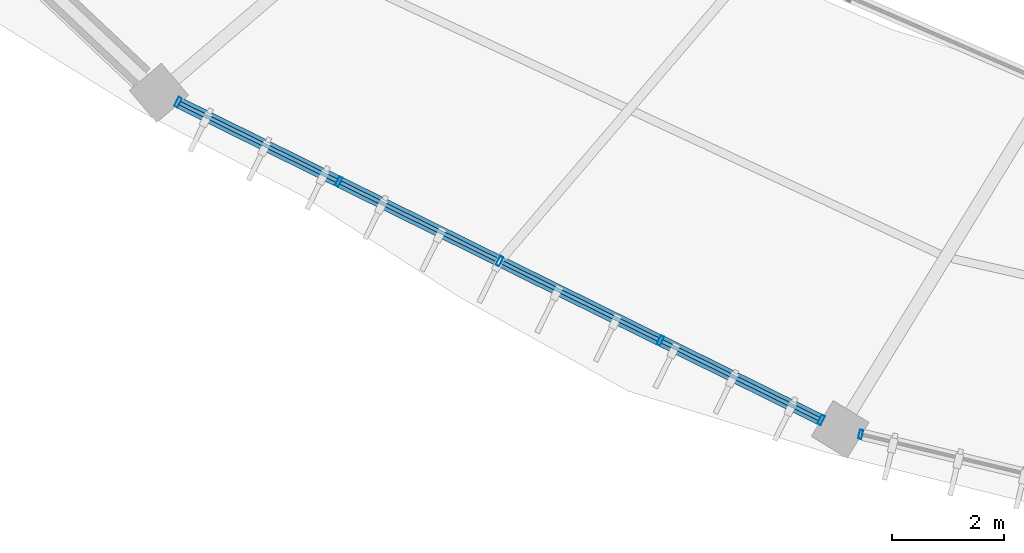
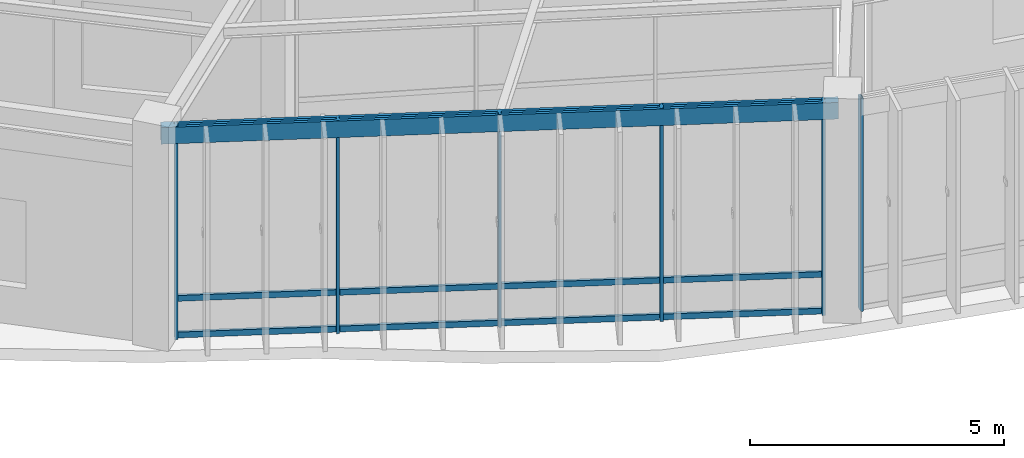
# One storey, part 43 of 157: 18 members, 1 beam, 2 elements without a shape of their own.
"""IFC4 building model written with IfcOpenShell, lengths in metres."""

from ifc_helpers import new_model, si_unit, direction, frame, origin, origin_2d, place, context, subcontext, project, spatial, hollow_rectangle, extrude, material, material_profile, profile_set, type_object, element, aggregate, save


model = new_model("IFC4")

# Units and contexts
model_context = context("Model", 3, precision=1e-05, world=origin(), true_north=direction((0.0, 1.0)))
body_context = subcontext(model_context, "Body", "Model", "MODEL_VIEW")
ifc_project = project(units=[si_unit("LENGTHUNIT", "METRE"), si_unit("AREAUNIT", "SQUARE_METRE"), si_unit("VOLUMEUNIT", "CUBIC_METRE"), si_unit("PLANEANGLEUNIT", "RADIAN"), si_unit("MASSUNIT", "GRAM", prefix="KILO"), si_unit("THERMODYNAMICTEMPERATUREUNIT", "KELVIN"), si_unit("POWERUNIT", "WATT")], contexts=[model_context])

# Site, building, storey
site_placement = place(None, origin())
site = spatial("IfcSite", under=ifc_project, at=site_placement, CompositionType="ELEMENT")
building_placement = place(site_placement, origin())
building = spatial("IfcBuilding", under=site, at=building_placement, Name="Darbajah Civic Hall", CompositionType="ELEMENT")
storey_placement = place(building_placement, origin())
storey = spatial("IfcBuildingStorey", under=building, at=storey_placement, Name="L00", CompositionType="ELEMENT", Elevation=0.0)

# Curtain wall, member
ifc_material_1 = material(Name="Anodised Bronze Aluminium and Low-E Glazing", Category="aluminium")
curtain_wall_type_1 = type_object("IfcCurtainWallType", Name="Unitised Curtain Wall CW-13 14400x5100", PredefinedType="USERDEFINED", material=ifc_material_1)
curtain_wall_1_placement = place(storey_placement, origin())
curtain_wall_1 = element("IfcCurtainWall", 1, at=curtain_wall_1_placement, inside=storey, type_object=curtain_wall_type_1, Name="L00 unitised curtain wall CW-V1O-L00-13", ObjectType="UNITISED CURTAIN WALL", PredefinedType="USERDEFINED")
ifc_material_2 = material(Name="Anodised Bronze Aluminium", Category="aluminium")
ifc_material_profile_1 = material_profile(ifc_material_2, hollow_rectangle(XDim=0.06005859375, YDim=0.159912109375, WallThickness=0.00341796875, at=origin_2d()), Name="ALU MULLION 60x160")
ifc_profile_set_1 = profile_set([ifc_material_profile_1], Name="Anodised Bronze Aluminium")
member_type_1 = type_object("IfcMemberType", Name="ALU MULLION 60x160", PredefinedType="MULLION", material=ifc_profile_set_1)
member_1_placement = place(storey_placement, frame((62.819091796875, 64.559326171875, 0.0), z_axis=(0.0, 0.0, 1.0), x_axis=(0.972492018808, -0.232936200179, 0.0)))
member_1 = element("IfcMember", 2, at=member_1_placement, type_object=member_type_1, Name="CW-V1O-L00-13 mullion 1", PredefinedType="MULLION", context=body_context, shape_type="SweptSolid", body=[
    extrude(hollow_rectangle(XDim=0.06005859375, YDim=0.159912109375, WallThickness=0.00341796875, at=origin_2d()), origin(), (0.0, 0.0, 1.0), 5.1201171875),
])
aggregate(curtain_wall_1, [member_1])

# Curtain wall, members
curtain_wall_type_2 = type_object("IfcCurtainWallType", Name="Unitised Curtain Wall CW-12 12800x5100", PredefinedType="USERDEFINED", material=ifc_material_1)
curtain_wall_2_placement = place(storey_placement, origin())
curtain_wall_2 = element("IfcCurtainWall", 3, at=curtain_wall_2_placement, inside=storey, type_object=curtain_wall_type_2, Name="L00 unitised curtain wall CW-V1O-L00-12", ObjectType="UNITISED CURTAIN WALL", PredefinedType="USERDEFINED")
ifc_material_profile_2 = material_profile(ifc_material_2, hollow_rectangle(XDim=0.06494140625, YDim=0.179931640625, WallThickness=0.00390625, at=origin_2d()), Name="ALU MULLION 65x180")
ifc_profile_set_2 = profile_set([ifc_material_profile_2], Name="Anodised Bronze Aluminium")
member_type_2 = type_object("IfcMemberType", Name="ALU MULLION 65x180", PredefinedType="MULLION", material=ifc_profile_set_2)
member_2_placement = place(storey_placement, frame((50.6572265625, 70.474365234375, 0.0), z_axis=(0.0, 0.0, 1.0), x_axis=(0.89656374724, -0.442914717678, 0.0)))
member_2 = element("IfcMember", 4, at=member_2_placement, type_object=member_type_2, Name="CW-V1O-L00-12 mullion 1", PredefinedType="MULLION", context=body_context, shape_type="SweptSolid", body=[
    extrude(hollow_rectangle(XDim=0.06494140625, YDim=0.179931640625, WallThickness=0.00390625, at=origin_2d()), origin(), (0.0, 0.0, 1.0), 5.1201171875),
])
member_3_placement = place(storey_placement, frame((53.521484375, 69.05908203125, 0.0), z_axis=(0.0, 0.0, 1.0), x_axis=(0.89656374724, -0.442914717678, 0.0)))
member_3 = element("IfcMember", 5, at=member_3_placement, type_object=member_type_2, Name="CW-V1O-L00-12 mullion 2", PredefinedType="MULLION", context=body_context, shape_type="SweptSolid", body=[
    extrude(hollow_rectangle(XDim=0.06494140625, YDim=0.179931640625, WallThickness=0.00390625, at=origin_2d()), origin(), (0.0, 0.0, 1.0), 5.1201171875),
])
member_4_placement = place(storey_placement, frame((56.385986328125, 67.644287109375, 0.0), z_axis=(0.0, 0.0, 1.0), x_axis=(0.89656374724, -0.442914717678, 0.0)))
member_4 = element("IfcMember", 6, at=member_4_placement, type_object=member_type_2, Name="CW-V1O-L00-12 mullion 3", PredefinedType="MULLION", context=body_context, shape_type="SweptSolid", body=[
    extrude(hollow_rectangle(XDim=0.06494140625, YDim=0.179931640625, WallThickness=0.00390625, at=origin_2d()), origin(), (0.0, 0.0, 1.0), 5.1201171875),
])
member_5_placement = place(storey_placement, frame((59.250244140625, 66.229248046875, 0.0), z_axis=(0.0, 0.0, 1.0), x_axis=(0.89656374724, -0.442914717678, 0.0)))
member_5 = element("IfcMember", 7, at=member_5_placement, type_object=member_type_2, Name="CW-V1O-L00-12 mullion 4", PredefinedType="MULLION", context=body_context, shape_type="SweptSolid", body=[
    extrude(hollow_rectangle(XDim=0.06494140625, YDim=0.179931640625, WallThickness=0.00390625, at=origin_2d()), origin(), (0.0, 0.0, 1.0), 5.1201171875),
])
member_6_placement = place(storey_placement, frame((62.114501953125, 64.814208984375, 0.0), z_axis=(0.0, 0.0, 1.0), x_axis=(0.89656374724, -0.442914717678, 0.0)))
member_6 = element("IfcMember", 8, at=member_6_placement, type_object=member_type_2, Name="CW-V1O-L00-12 mullion 5", PredefinedType="MULLION", context=body_context, shape_type="SweptSolid", body=[
    extrude(hollow_rectangle(XDim=0.06494140625, YDim=0.179931640625, WallThickness=0.00390625, at=origin_2d()), origin(), (0.0, 0.0, 1.0), 5.1201171875),
])
ifc_material_profile_3 = material_profile(ifc_material_2, hollow_rectangle(XDim=0.06494140625, YDim=0.139892578125, WallThickness=0.00341796875, at=origin_2d()), Name="ALU TRANSOM 65x140")
ifc_profile_set_3 = profile_set([ifc_material_profile_3], Name="Anodised Bronze Aluminium")
member_type_3 = type_object("IfcMemberType", Name="ALU TRANSOM 65x140", PredefinedType="USERDEFINED", material=ifc_profile_set_3)
member_7_placement = place(storey_placement, frame((50.69091796875, 70.457763671875, 0.070068359375), z_axis=(0.896561082249, -0.442920112205, 0.0), x_axis=(0.442920112205, 0.896561082249, 0.0)))
member_7 = element("IfcMember", 9, at=member_7_placement, type_object=member_type_3, Name="CW-V1O-L00-12 transom 1.1", ObjectType="TRANSOM", PredefinedType="USERDEFINED", context=body_context, shape_type="SweptSolid", body=[
    extrude(hollow_rectangle(XDim=0.06494140625, YDim=0.139892578125, WallThickness=0.00341796875, at=origin_2d()), origin(), (0.0, 0.0, 1.0), 3.119873046875),
])
member_8_placement = place(storey_placement, frame((50.69091796875, 70.457763671875, 0.949951171875), z_axis=(0.896561082249, -0.442920112205, 0.0), x_axis=(0.442920112205, 0.896561082249, 0.0)))
member_8 = element("IfcMember", 10, at=member_8_placement, type_object=member_type_3, Name="CW-V1O-L00-12 transom 1.2", ObjectType="TRANSOM", PredefinedType="USERDEFINED", context=body_context, shape_type="SweptSolid", body=[
    extrude(hollow_rectangle(XDim=0.06494140625, YDim=0.139892578125, WallThickness=0.00341796875, at=origin_2d()), origin(), (0.0, 0.0, 1.0), 3.119873046875),
])
member_9_placement = place(storey_placement, frame((50.69091796875, 70.457763671875, 5.050048828125), z_axis=(0.896561082249, -0.442920112205, 0.0), x_axis=(0.442920112205, 0.896561082249, 0.0)))
member_9 = element("IfcMember", 11, at=member_9_placement, type_object=member_type_3, Name="CW-V1O-L00-12 transom 1.3", ObjectType="TRANSOM", PredefinedType="USERDEFINED", context=body_context, shape_type="SweptSolid", body=[
    extrude(hollow_rectangle(XDim=0.06494140625, YDim=0.139892578125, WallThickness=0.00341796875, at=origin_2d()), origin(), (0.0, 0.0, 1.0), 3.119873046875),
])
member_10_placement = place(storey_placement, frame((53.55517578125, 69.04248046875, 0.070068359375), z_axis=(0.896592156343, -0.442857206314, 0.0), x_axis=(0.442857206314, 0.896592156343, 0.0)))
member_10 = element("IfcMember", 12, at=member_10_placement, type_object=member_type_3, Name="CW-V1O-L00-12 transom 2.1", ObjectType="TRANSOM", PredefinedType="USERDEFINED", context=body_context, shape_type="SweptSolid", body=[
    extrude(hollow_rectangle(XDim=0.06494140625, YDim=0.139892578125, WallThickness=0.00341796875, at=origin_2d()), origin(), (0.0, 0.0, 1.0), 3.11962890625),
])
member_11_placement = place(storey_placement, frame((53.55517578125, 69.04248046875, 0.949951171875), z_axis=(0.896592156343, -0.442857206314, 0.0), x_axis=(0.442857206314, 0.896592156343, 0.0)))
member_11 = element("IfcMember", 13, at=member_11_placement, type_object=member_type_3, Name="CW-V1O-L00-12 transom 2.2", ObjectType="TRANSOM", PredefinedType="USERDEFINED", context=body_context, shape_type="SweptSolid", body=[
    extrude(hollow_rectangle(XDim=0.06494140625, YDim=0.139892578125, WallThickness=0.00341796875, at=origin_2d()), origin(), (0.0, 0.0, 1.0), 3.11962890625),
])
member_12_placement = place(storey_placement, frame((53.55517578125, 69.04248046875, 5.050048828125), z_axis=(0.896592156343, -0.442857206314, 0.0), x_axis=(0.442857206314, 0.896592156343, 0.0)))
member_12 = element("IfcMember", 14, at=member_12_placement, type_object=member_type_3, Name="CW-V1O-L00-12 transom 2.3", ObjectType="TRANSOM", PredefinedType="USERDEFINED", context=body_context, shape_type="SweptSolid", body=[
    extrude(hollow_rectangle(XDim=0.06494140625, YDim=0.139892578125, WallThickness=0.00341796875, at=origin_2d()), origin(), (0.0, 0.0, 1.0), 3.11962890625),
])
member_13_placement = place(storey_placement, frame((56.419677734375, 67.627685546875, 0.070068359375), z_axis=(0.896561082249, -0.442920112205, 0.0), x_axis=(0.442920112205, 0.896561082249, 0.0)))
member_13 = element("IfcMember", 15, at=member_13_placement, type_object=member_type_3, Name="CW-V1O-L00-12 transom 3.1", ObjectType="TRANSOM", PredefinedType="USERDEFINED", context=body_context, shape_type="SweptSolid", body=[
    extrude(hollow_rectangle(XDim=0.06494140625, YDim=0.139892578125, WallThickness=0.00341796875, at=origin_2d()), origin(), (0.0, 0.0, 1.0), 3.119873046875),
])
member_14_placement = place(storey_placement, frame((56.419677734375, 67.627685546875, 0.949951171875), z_axis=(0.896561082249, -0.442920112205, 0.0), x_axis=(0.442920112205, 0.896561082249, 0.0)))
member_14 = element("IfcMember", 16, at=member_14_placement, type_object=member_type_3, Name="CW-V1O-L00-12 transom 3.2", ObjectType="TRANSOM", PredefinedType="USERDEFINED", context=body_context, shape_type="SweptSolid", body=[
    extrude(hollow_rectangle(XDim=0.06494140625, YDim=0.139892578125, WallThickness=0.00341796875, at=origin_2d()), origin(), (0.0, 0.0, 1.0), 3.119873046875),
])
member_15_placement = place(storey_placement, frame((56.419677734375, 67.627685546875, 5.050048828125), z_axis=(0.896561082249, -0.442920112205, 0.0), x_axis=(0.442920112205, 0.896561082249, 0.0)))
member_15 = element("IfcMember", 17, at=member_15_placement, type_object=member_type_3, Name="CW-V1O-L00-12 transom 3.3", ObjectType="TRANSOM", PredefinedType="USERDEFINED", context=body_context, shape_type="SweptSolid", body=[
    extrude(hollow_rectangle(XDim=0.06494140625, YDim=0.139892578125, WallThickness=0.00341796875, at=origin_2d()), origin(), (0.0, 0.0, 1.0), 3.119873046875),
])
member_16_placement = place(storey_placement, frame((59.283935546875, 66.21240234375, 0.070068359375), z_axis=(0.896592156343, -0.442857206314, 0.0), x_axis=(0.442857206314, 0.896592156343, 0.0)))
member_16 = element("IfcMember", 18, at=member_16_placement, type_object=member_type_3, Name="CW-V1O-L00-12 transom 4.1", ObjectType="TRANSOM", PredefinedType="USERDEFINED", context=body_context, shape_type="SweptSolid", body=[
    extrude(hollow_rectangle(XDim=0.06494140625, YDim=0.139892578125, WallThickness=0.00341796875, at=origin_2d()), origin(), (0.0, 0.0, 1.0), 3.11962890625),
])
member_17_placement = place(storey_placement, frame((59.283935546875, 66.21240234375, 0.949951171875), z_axis=(0.896592156343, -0.442857206314, 0.0), x_axis=(0.442857206314, 0.896592156343, 0.0)))
member_17 = element("IfcMember", 19, at=member_17_placement, type_object=member_type_3, Name="CW-V1O-L00-12 transom 4.2", ObjectType="TRANSOM", PredefinedType="USERDEFINED", context=body_context, shape_type="SweptSolid", body=[
    extrude(hollow_rectangle(XDim=0.06494140625, YDim=0.139892578125, WallThickness=0.00341796875, at=origin_2d()), origin(), (0.0, 0.0, 1.0), 3.11962890625),
])
member_18_placement = place(storey_placement, frame((59.283935546875, 66.21240234375, 5.050048828125), z_axis=(0.896592156343, -0.442857206314, 0.0), x_axis=(0.442857206314, 0.896592156343, 0.0)))
member_18 = element("IfcMember", 20, at=member_18_placement, type_object=member_type_3, Name="CW-V1O-L00-12 transom 4.3", ObjectType="TRANSOM", PredefinedType="USERDEFINED", context=body_context, shape_type="SweptSolid", body=[
    extrude(hollow_rectangle(XDim=0.06494140625, YDim=0.139892578125, WallThickness=0.00341796875, at=origin_2d()), origin(), (0.0, 0.0, 1.0), 3.11962890625),
])
aggregate(curtain_wall_2, [member_2, member_3, member_4, member_5, member_6, member_7, member_8, member_9, member_10, member_11, member_12, member_13, member_14, member_15, member_16, member_17, member_18])

# Beam
ifc_material_3 = material(Name="Steel S355JR", Category="steel")
ifc_material_profile_4 = material_profile(ifc_material_3, hollow_rectangle(XDim=0.199951171875, YDim=0.39990234375, WallThickness=0.013916015625, at=origin_2d()), Name="RHS 400x200x14")
ifc_profile_set_4 = profile_set([ifc_material_profile_4], Name="Steel S355JR")
beam_type = type_object("IfcBeamType", Name="RHS 400x200x14", PredefinedType="SPANDREL", material=ifc_profile_set_4)
beam_placement = place(storey_placement, frame((50.39111328125, 70.60595703125, 4.919921875), z_axis=(0.896556568061, -0.442929249731, 0.0), x_axis=(0.442929249731, 0.896556568061, 0.0)))
element("IfcBeam", 21, at=beam_placement, inside=storey, type_object=beam_type, Name="L00 beam SP-RHS400", PredefinedType="SPANDREL", context=body_context, shape_type="SweptSolid", body=[
    extrude(hollow_rectangle(XDim=0.199951171875, YDim=0.39990234375, WallThickness=0.013916015625, at=origin_2d()), origin(), (0.0, 0.0, 1.0), 13.373046875),
])

save(model, "model.ifc")
